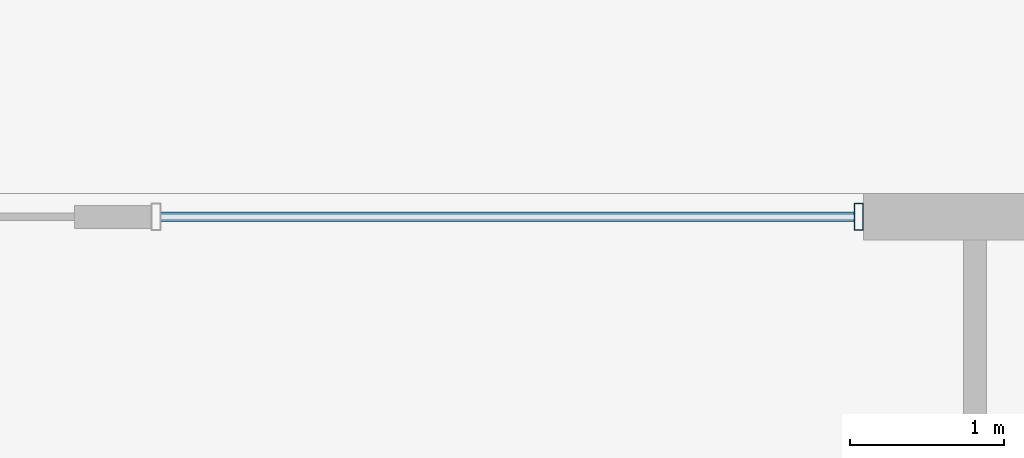
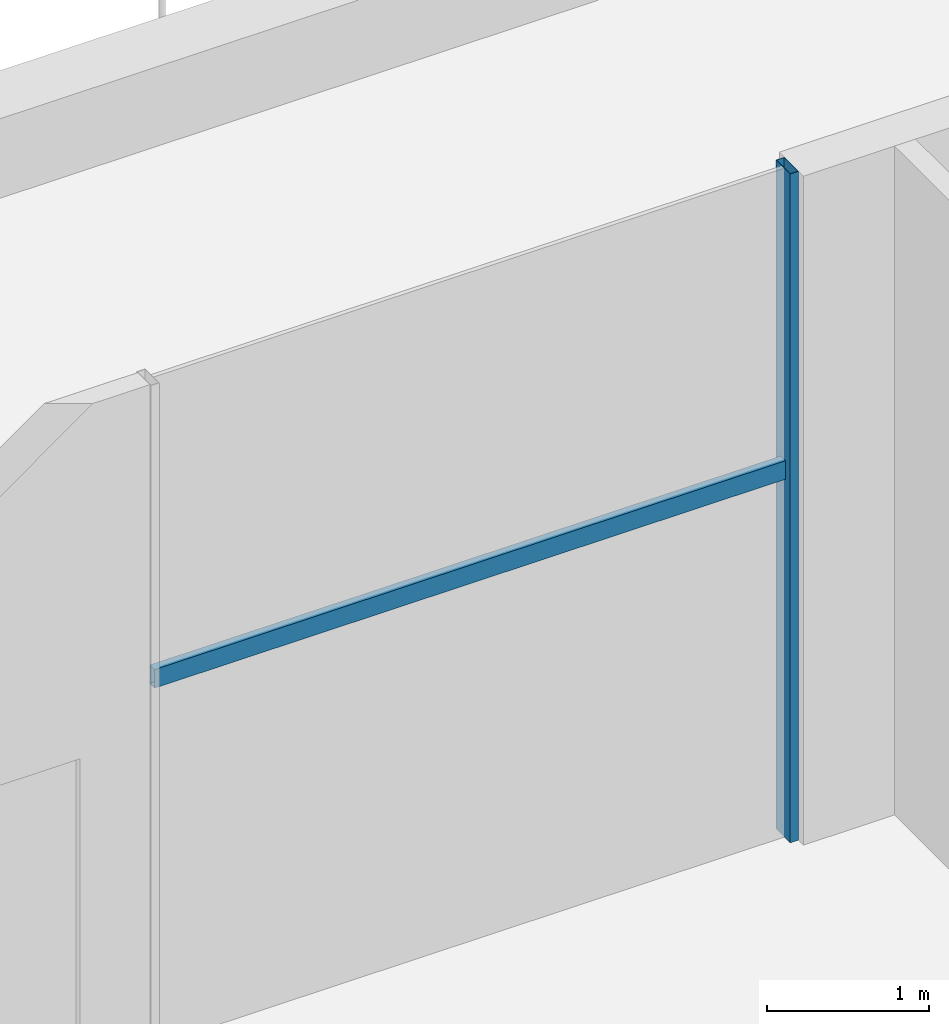
# One storey, part 13 of 47: 2 members, 1 element without a shape of its own.
"""IFC4 building model written with IfcOpenShell, lengths in metres."""

from ifc_helpers import new_model, si_unit, direction, frame, origin, origin_2d, place, context, subcontext, project, spatial, hollow_rectangle, extrude, material, material_profile, profile_set, type_object, element, aggregate, save


model = new_model("IFC4")

# Units and contexts
model_context = context("Model", 3, precision=1e-05, world=origin(), true_north=direction((0.0, 1.0)))
body_context = subcontext(model_context, "Body", "Model", "MODEL_VIEW")
ifc_project = project(units=[si_unit("LENGTHUNIT", "METRE"), si_unit("AREAUNIT", "SQUARE_METRE"), si_unit("VOLUMEUNIT", "CUBIC_METRE"), si_unit("PLANEANGLEUNIT", "RADIAN"), si_unit("MASSUNIT", "GRAM", prefix="KILO")], contexts=[model_context])

# Site, building, storey
site_placement = place(None, origin())
site = spatial("IfcSite", under=ifc_project, at=site_placement, CompositionType="ELEMENT")
building_placement = place(site_placement, origin())
building = spatial("IfcBuilding", under=site, at=building_placement, Name="Altepetl Exchange Towers", CompositionType="ELEMENT")
storey_placement = place(building_placement, frame((0.0, 0.0, 6.0)))
storey = spatial("IfcBuildingStorey", under=building, at=storey_placement, Name="L01 Retail podium", CompositionType="ELEMENT", Elevation=6.0)

# Curtain wall, members
ifc_material_1 = material(Name="Aluminium 6063-T6 glazing", Category="aluminium")
curtain_wall_type = type_object("IfcCurtainWallType", Name="Podium storefront system", PredefinedType="NOTDEFINED", material=ifc_material_1)
curtain_wall_placement = place(storey_placement, origin())
curtain_wall = element("IfcCurtainWall", 1, at=curtain_wall_placement, inside=storey, type_object=curtain_wall_type, Name="CW5 run", PredefinedType="NOTDEFINED")
ifc_material_2 = material(Name="Aluminium 6063-T6", Category="aluminium")
ifc_material_profile_1 = material_profile(ifc_material_2, hollow_rectangle(XDim=0.06005859375, YDim=0.175048828125, WallThickness=0.0029296875, at=origin_2d()), Name="Mullion 60x175 aluminium")
ifc_profile_set_1 = profile_set([ifc_material_profile_1], Name="Aluminium 6063-T6")
member_type_1 = type_object("IfcMemberType", Name="Mullion 60x175 aluminium", PredefinedType="MULLION", material=ifc_profile_set_1)
member_1_placement = place(storey_placement, frame((71.2451171875, 89.85009765625, 0.0), z_axis=(0.0, 0.0, 1.0), x_axis=(-1.0, 0.0, 0.0)))
member_1 = element("IfcMember", 2, at=member_1_placement, type_object=member_type_1, Name="MU4 mullion", PredefinedType="MULLION", context=body_context, shape_type="SweptSolid", body=[
    extrude(hollow_rectangle(XDim=0.06005859375, YDim=0.175048828125, WallThickness=0.0029296875, at=origin_2d()), origin(), (0.0, 0.0, 1.0), 5.050048828125),
])
ifc_material_profile_2 = material_profile(ifc_material_2, hollow_rectangle(XDim=0.06005859375, YDim=0.139892578125, WallThickness=0.0029296875, at=origin_2d()), Name="Transom 60x140 aluminium")
ifc_profile_set_2 = profile_set([ifc_material_profile_2], Name="Aluminium 6063-T6")
member_type_2 = type_object("IfcMemberType", Name="Transom 60x140 aluminium", PredefinedType="USERDEFINED", material=ifc_profile_set_2)
member_2_placement = place(storey_placement, frame((71.215087890625, 89.85009765625, 2.780029296875), z_axis=(-1.0, 0.0, 0.0), x_axis=(0.0, -1.0, 0.0)))
member_2 = element("IfcMember", 3, at=member_2_placement, type_object=member_type_2, Name="TR3 transom", ObjectType="TRANSOM", PredefinedType="USERDEFINED", context=body_context, shape_type="SweptSolid", body=[
    extrude(hollow_rectangle(XDim=0.06005859375, YDim=0.139892578125, WallThickness=0.0029296875, at=origin_2d()), origin(), (0.0, 0.0, 1.0), 4.505126953125),
])
aggregate(curtain_wall, [member_1, member_2])

save(model, "model.ifc")
